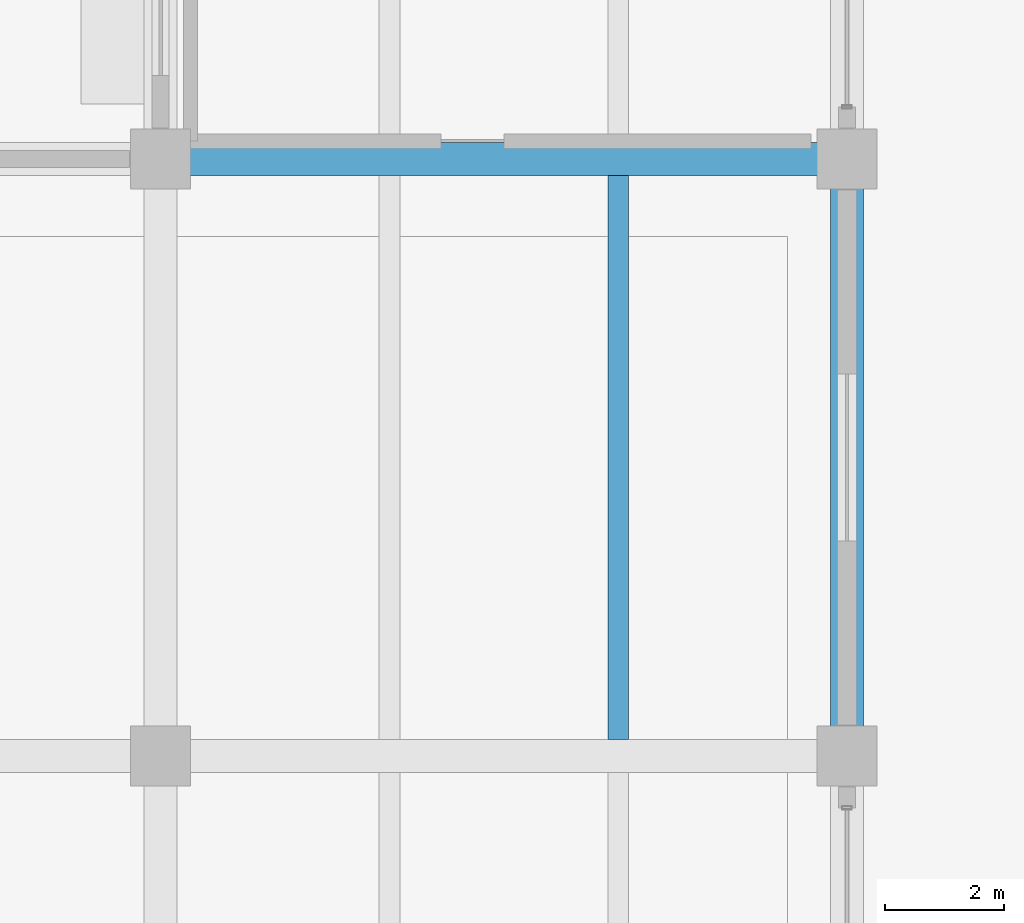
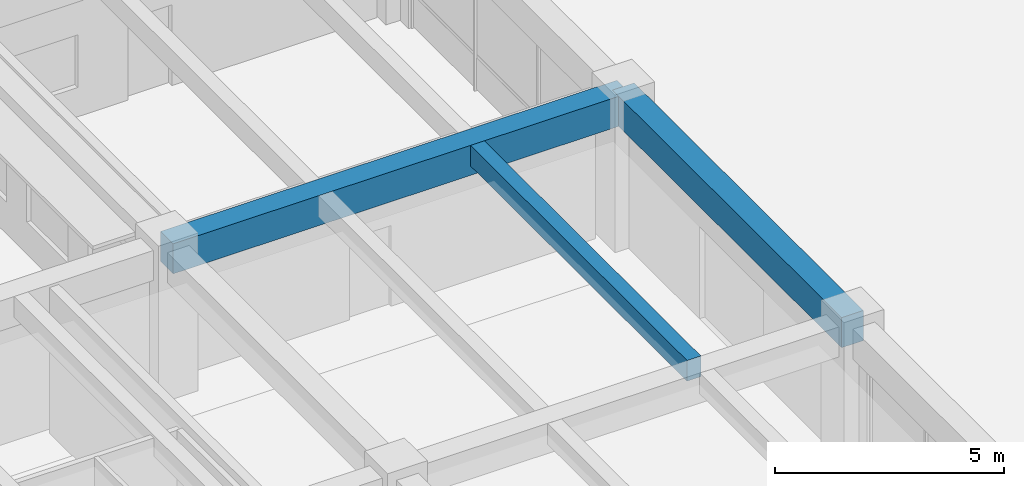
# One storey, part 44 of 109: 3 beams.
"""IFC4 building model written with IfcOpenShell, lengths in metres."""

from ifc_helpers import new_model, si_unit, direction, frame, origin, origin_2d, place, context, subcontext, project, spatial, rectangle, extrude, material, material_profile, profile_set, type_object, element, save


model = new_model("IFC4")

# Units and contexts
model_context = context("Model", 3, precision=1e-05, world=origin(), true_north=direction((0.0, 1.0)))
body_context = subcontext(model_context, "Body", "Model", "MODEL_VIEW")
ifc_project = project(units=[si_unit("LENGTHUNIT", "METRE"), si_unit("AREAUNIT", "SQUARE_METRE"), si_unit("VOLUMEUNIT", "CUBIC_METRE"), si_unit("PLANEANGLEUNIT", "RADIAN"), si_unit("MASSUNIT", "GRAM", prefix="KILO")], contexts=[model_context])

# Site, building, storey
site_placement = place(None, origin())
site = spatial("IfcSite", under=ifc_project, at=site_placement, CompositionType="ELEMENT")
building_placement = place(site_placement, origin())
building = spatial("IfcBuilding", under=site, at=building_placement, Name="Ologun Quay Terminus", CompositionType="ELEMENT")
storey_placement = place(building_placement, origin())
storey = spatial("IfcBuildingStorey", under=building, at=storey_placement, Name="L00", CompositionType="ELEMENT", Elevation=0.0)

# Beams
ifc_material_1 = material(Name="Concrete C40/50", Category="concrete")
ifc_material_profile_1 = material_profile(ifc_material_1, rectangle(XDim=0.550048828125, YDim=0.800048828125, at=origin_2d()), Name="RC 550x800")
ifc_profile_set_1 = profile_set([ifc_material_profile_1], Name="Concrete C40/50")
beam_type_1 = type_object("IfcBeamType", Name="Courtyard Wing Primary Girder 550x800", PredefinedType="BEAM", material=ifc_profile_set_1)
beam_1_placement = place(storey_placement, frame((57.5, 104.800048828125, 3.550048828125), z_axis=(1.0, 0.0, 0.0), x_axis=(0.0, 1.0, 0.0)))
element("IfcBeam", 1, at=beam_1_placement, inside=storey, type_object=beam_type_1, Name="B4 Beam 6/J L00", PredefinedType="BEAM", context=body_context, shape_type="SweptSolid", body=[
    extrude(rectangle(XDim=0.550048828125, YDim=0.800048828125, at=origin_2d()), origin(), (0.0, 0.0, 1.0), 11.5),
])
beam_2_placement = place(storey_placement, frame((69.0, 94.800048828125, 3.550048828125), z_axis=(0.0, 1.0, 0.0), x_axis=(-1.0, 0.0, 0.0)))
element("IfcBeam", 2, at=beam_2_placement, inside=storey, type_object=beam_type_1, Name="B4 Beam 7/H L00", PredefinedType="BEAM", context=body_context, shape_type="SweptSolid", body=[
    extrude(rectangle(XDim=0.550048828125, YDim=0.800048828125, at=origin_2d()), origin(), (0.0, 0.0, 1.0), 10.0),
])
ifc_material_2 = material(Name="Concrete C40/50", Category="concrete")
ifc_material_profile_2 = material_profile(ifc_material_2, rectangle(XDim=0.35009765625, YDim=0.550048828125, at=origin_2d()), Name="RC 350x550")
ifc_profile_set_2 = profile_set([ifc_material_profile_2], Name="Concrete C40/50")
beam_type_2 = type_object("IfcBeamType", Name="Courtyard Wing Secondary Joist 350x550", PredefinedType="JOIST", material=ifc_profile_set_2)
beam_3_placement = place(storey_placement, frame((65.166748046875, 95.074951171875, 3.675048828125), z_axis=(0.0, 1.0, 0.0), x_axis=(-1.0, 0.0, 0.0)))
element("IfcBeam", 3, at=beam_3_placement, inside=storey, type_object=beam_type_2, Name="J2 Beam 6/H L00", PredefinedType="JOIST", context=body_context, shape_type="SweptSolid", body=[
    extrude(rectangle(XDim=0.35009765625, YDim=0.550048828125, at=origin_2d()), origin(), (0.0, 0.0, 1.0), 9.449951171875),
])

save(model, "model.ifc")
